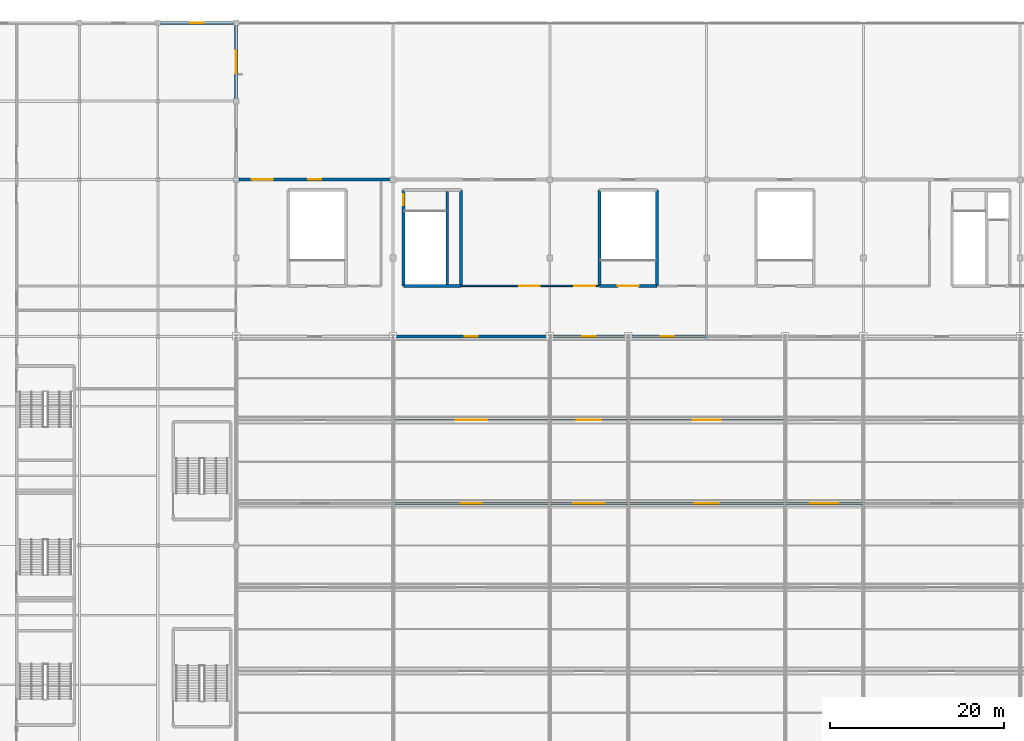
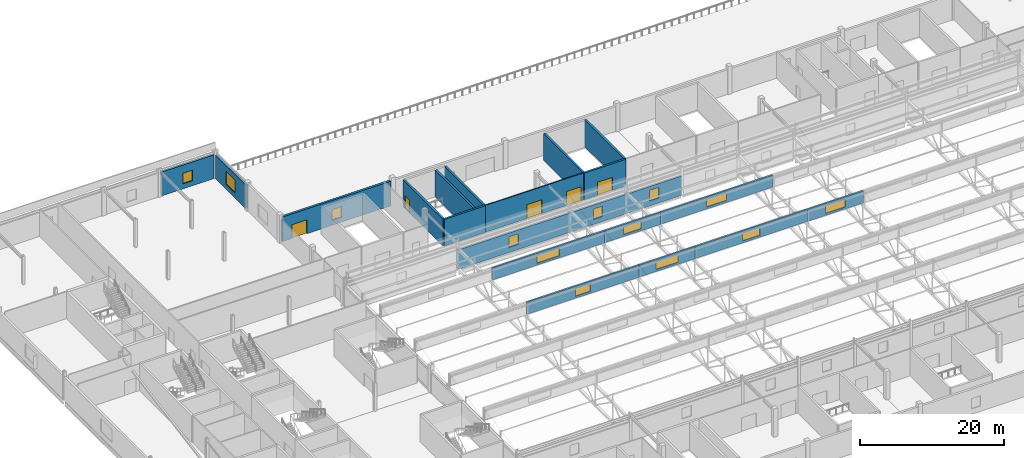
# One storey, part 101 of 136: 21 walls, 13 windows, 5 doors, 18 openings.
"""IFC4 building model written with IfcOpenShell, lengths in metres."""

from ifc_helpers import new_model, si_unit, direction, frame, frame_2d, origin, place, context, subcontext, project, spatial, rectangle, extrude, material, layer, layer_set, type_object, element, fill, save


model = new_model("IFC4")

# Units and contexts
model_context = context("Model", 3, precision=1e-05, world=origin(), true_north=direction((0.0, 1.0)))
body_context = subcontext(model_context, "Body", "Model", "MODEL_VIEW")
ifc_project = project(units=[si_unit("LENGTHUNIT", "METRE"), si_unit("AREAUNIT", "SQUARE_METRE"), si_unit("VOLUMEUNIT", "CUBIC_METRE"), si_unit("PLANEANGLEUNIT", "RADIAN"), si_unit("MASSUNIT", "GRAM", prefix="KILO")], contexts=[model_context])

# Site, building, storey
site_placement = place(None, origin())
site = spatial("IfcSite", under=ifc_project, at=site_placement, CompositionType="ELEMENT")
building_placement = place(site_placement, origin())
building = spatial("IfcBuilding", under=site, at=building_placement, Name="Kisiwana Market Hall", CompositionType="ELEMENT")
storey_placement = place(building_placement, frame((0.0, 0.0, 16.800048828125)))
storey = spatial("IfcBuildingStorey", under=building, at=storey_placement, Name="L03", CompositionType="ELEMENT", Elevation=16.800048828125)

# Wall
ifc_material_1 = material(Name="Concrete C40/50", Category="concrete")
ifc_layer_1 = layer(ifc_material_1, 0.320068359375, Name="Reinforced concrete shaft wall")
ifc_layer_set_1 = layer_set([ifc_layer_1], Name="WL-CORE-320")
wall_type_1 = type_object("IfcWallType", Name="WL-CORE-320", PredefinedType="SHEAR", material=ifc_layer_set_1)
wall_1_placement = place(storey_placement, frame((64.199951171875, 89.800048828125, 0.0), z_axis=(0.0, 0.0, 1.0), x_axis=(1.0, 0.0, 0.0)))
element("IfcWall", 1, at=wall_1_placement, inside=storey, type_object=wall_type_1, Name="Core N1 south wall W-1231", PredefinedType="SHEAR", context=body_context, shape_type="SweptSolid", body=[
    extrude(rectangle(XDim=6.60009765625, YDim=0.320068359375, at=frame_2d((3.300048828125, 0.0))), origin(), (0.0, 0.0, 1.0), 4.554931640625),
])

# Wall, opening, door
wall_2_placement = place(storey_placement, frame((64.199951171875, 89.800048828125, 0.0), z_axis=(0.0, 0.0, 1.0), x_axis=(0.0, 1.0, 0.0)))
wall_2 = element("IfcWall", 2, at=wall_2_placement, inside=storey, type_object=wall_type_1, Name="Core N1 west wall W-1233", PredefinedType="SHEAR", context=body_context, shape_type="SweptSolid", body=[
    extrude(rectangle(XDim=11.0, YDim=0.320068359375, at=frame_2d((5.5, 0.0))), origin(), (0.0, 0.0, 1.0), 4.554931640625),
])
opening_1_placement = place(wall_2_placement, frame((9.25, 0.0, 0.0)))
opening_1 = element("IfcOpeningElement", 3, at=opening_1_placement, cuts=wall_2, Name="Opening DR-L03-016", PredefinedType="OPENING", context=body_context, shape_type="SweptSolid", body=[
    extrude(rectangle(XDim=1.300048828125, YDim=2.199951171875, at=frame_2d((0.64990234375, 1.10009765625))), frame((0.0, 0.171875, 0.0), z_axis=(0.0, -1.0, 0.0), x_axis=(1.0, 0.0, 0.0)), (0.0, 0.0, 1.0), 0.343994140625),
])
ifc_material_2 = material(Name="Steel S275", Category="steel")
door_type_1 = type_object("IfcDoorType", Name="DR-STAIR-FD120-1300", OperationType="NOTDEFINED", PredefinedType="DOOR", material=ifc_material_2)
door_1_placement = place(opening_1_placement, origin())
door_1 = element("IfcDoor", 4, at=door_1_placement, inside=storey, type_object=door_type_1, Name="Podium Escape Stair N1 Fire Door (L03)", OperationType="SINGLE_SWING_RIGHT", OverallHeight=2.199951171875, OverallWidth=1.300048828125, PredefinedType="DOOR", context=body_context, shape_type="SweptSolid", body=[
    extrude(rectangle(XDim=1.300048828125, YDim=2.199951171875, at=frame_2d((0.64990234375, 1.10009765625))), frame((0.0, 0.02490234375, 0.0), z_axis=(0.0, -1.0, 0.0), x_axis=(1.0, 0.0, 0.0)), (0.0, 0.0, 1.0), 0.050048828125),
])
fill(opening_1, door_1)

# Walls
wall_3_placement = place(storey_placement, frame((70.800048828125, 89.800048828125, 0.0), z_axis=(0.0, 0.0, 1.0), x_axis=(0.0, 1.0, 0.0)))
element("IfcWall", 5, at=wall_3_placement, inside=storey, type_object=wall_type_1, Name="Core N1 east wall W-1234", PredefinedType="SHEAR", context=body_context, shape_type="SweptSolid", body=[
    extrude(rectangle(XDim=11.0, YDim=0.320068359375, at=frame_2d((5.5, 0.0))), origin(), (0.0, 0.0, 1.0), 4.554931640625),
])
wall_4_placement = place(storey_placement, frame((69.219970703125, 89.9599609375, 0.0), z_axis=(0.0, 0.0, 1.0), x_axis=(0.0, 1.0, 0.0)))
element("IfcWall", 6, at=wall_4_placement, inside=storey, type_object=wall_type_1, Name="Core N1 shaft divider W-1235", PredefinedType="SHEAR", context=body_context, shape_type="SweptSolid", body=[
    extrude(rectangle(XDim=10.679931640625, YDim=0.320068359375, at=frame_2d((5.33984375, 0.0))), origin(), (0.0, 0.0, 1.0), 4.554931640625),
])

# Wall, opening, door
wall_5_placement = place(storey_placement, frame((86.699951171875, 89.800048828125, 0.0), z_axis=(0.0, 0.0, 1.0), x_axis=(1.0, 0.0, 0.0)))
wall_5 = element("IfcWall", 7, at=wall_5_placement, inside=storey, type_object=wall_type_1, Name="Core N4 corridor shear wall W-1318", PredefinedType="SHEAR", context=body_context, shape_type="SweptSolid", body=[
    extrude(rectangle(XDim=6.60009765625, YDim=0.320068359375, at=frame_2d((3.300048828125, 0.0))), origin(), (0.0, 0.0, 1.0), 4.554931640625),
])
opening_2_placement = place(wall_5_placement, frame((2.10009765625, 0.0, 0.0)))
opening_2 = element("IfcOpeningElement", 8, at=opening_2_placement, cuts=wall_5, Name="Opening DR-L03-036", PredefinedType="OPENING", context=body_context, shape_type="SweptSolid", body=[
    extrude(rectangle(XDim=2.39990234375, YDim=2.25, at=frame_2d((1.199951171875, 1.125))), frame((0.0, 0.171875, 0.0), z_axis=(0.0, -1.0, 0.0), x_axis=(1.0, 0.0, 0.0)), (0.0, 0.0, 1.0), 0.343994140625),
])
ifc_material_3 = material(Name="Steel S275", Category="steel")
door_type_2 = type_object("IfcDoorType", Name="DR-STAIR-FD120-2400", OperationType="DOUBLE_DOOR_SINGLE_SWING", PredefinedType="DOOR", material=ifc_material_3)
door_2_placement = place(opening_2_placement, origin())
door_2 = element("IfcDoor", 9, at=door_2_placement, inside=storey, type_object=door_type_2, Name="Escape Stair N4 Fire Door (L03)", OperationType="DOUBLE_DOOR_SINGLE_SWING", OverallHeight=2.25, OverallWidth=2.39990234375, PredefinedType="DOOR", context=body_context, shape_type="SweptSolid", body=[
    extrude(rectangle(XDim=2.39990234375, YDim=2.25, at=frame_2d((1.199951171875, 1.125))), frame((0.0, 0.02490234375, 0.0), z_axis=(0.0, -1.0, 0.0), x_axis=(1.0, 0.0, 0.0)), (0.0, 0.0, 1.0), 0.050048828125),
])
fill(opening_2, door_2)

# Walls
for number, where, z_axis, x_axis, name in (
    (10, (86.699951171875, 89.800048828125, 0.0), (0.0, 0.0, 1.0), (0.0, 1.0, 0.0), "Core N4 west shear wall W-1320"),
    (11, (93.300048828125, 89.800048828125, 0.0), (0.0, 0.0, 1.0), (0.0, 1.0, 0.0), "Core N4 east shear wall W-1321"),
):
    element("IfcWall", number, at=place(storey_placement, frame(where, z_axis=z_axis, x_axis=x_axis)), inside=storey, type_object=wall_type_1, Name=name, PredefinedType="SHEAR", context=body_context, shape_type="SweptSolid", body=[
        extrude(rectangle(XDim=11.0, YDim=0.320068359375, at=frame_2d((5.5, 0.0))), origin(), (0.0, 0.0, 1.0), 4.554931640625),
    ])

# Wall, openings, doors
ifc_material_4 = material(Name="Masonry blockwork", Category="masonry")
ifc_layer_2 = layer(ifc_material_4, 0.169921875, Name="Protected corridor partition")
ifc_layer_set_2 = layer_set([ifc_layer_2], Name="WL-CORR-170")
wall_type_2 = type_object("IfcWallType", Name="WL-CORR-170", PredefinedType="PARTITIONING", material=ifc_layer_set_2)
wall_6_placement = place(storey_placement, frame((70.800048828125, 89.800048828125, 0.0), z_axis=(0.0, 0.0, 1.0), x_axis=(1.0, 0.0, 0.0)))
wall_6 = element("IfcWall", 12, at=wall_6_placement, inside=storey, type_object=wall_type_2, Name="Interior partition W-1505", PredefinedType="PARTITIONING", context=body_context, shape_type="SweptSolid", body=[
    extrude(rectangle(XDim=15.739990234375, YDim=0.169921875, at=frame_2d((7.8701171875, 0.0))), origin(), (0.0, 0.0, 1.0), 4.554931640625),
])
opening_3_placement = place(wall_6_placement, frame((13.0, 0.0, 0.0)))
opening_3 = element("IfcOpeningElement", 13, at=opening_3_placement, cuts=wall_6, Name="Opening DR-L03-097", PredefinedType="OPENING", context=body_context, shape_type="SweptSolid", body=[
    extrude(rectangle(XDim=2.39990234375, YDim=2.35009765625, at=frame_2d((1.199951171875, 1.175048828125))), frame((0.0, 0.096923828125, 0.0), z_axis=(0.0, -1.0, 0.0), x_axis=(1.0, 0.0, 0.0)), (0.0, 0.0, 1.0), 0.19384765625),
])
opening_4_placement = place(wall_6_placement, frame((6.669921875, 0.0, 0.0)))
opening_4 = element("IfcOpeningElement", 14, at=opening_4_placement, cuts=wall_6, Name="Opening DR-L03-098", PredefinedType="OPENING", context=body_context, shape_type="SweptSolid", body=[
    extrude(rectangle(XDim=2.39990234375, YDim=2.35009765625, at=frame_2d((1.199951171875, 1.175048828125))), frame((0.0, 0.096923828125, 0.0), z_axis=(0.0, -1.0, 0.0), x_axis=(1.0, 0.0, 0.0)), (0.0, 0.0, 1.0), 0.19384765625),
])
ifc_material_5 = material(Name="Steel S275", Category="steel")
door_type_3 = type_object("IfcDoorType", Name="DR-HALL-2400", OperationType="DOUBLE_DOOR_SINGLE_SWING", PredefinedType="DOOR", material=ifc_material_5)
door_3_placement = place(opening_3_placement, origin())
door_3 = element("IfcDoor", 15, at=door_3_placement, inside=storey, type_object=door_type_3, Name="L03 North Briefing Suite Second Door", OperationType="DOUBLE_DOOR_SINGLE_SWING", OverallHeight=2.35009765625, OverallWidth=2.39990234375, PredefinedType="DOOR", context=body_context, shape_type="SweptSolid", body=[
    extrude(rectangle(XDim=2.39990234375, YDim=2.35009765625, at=frame_2d((1.199951171875, 1.175048828125))), frame((0.0, 0.02490234375, 0.0), z_axis=(0.0, -1.0, 0.0), x_axis=(1.0, 0.0, 0.0)), (0.0, 0.0, 1.0), 0.050048828125),
])
fill(opening_3, door_3)
door_4_placement = place(opening_4_placement, origin())
door_4 = element("IfcDoor", 16, at=door_4_placement, inside=storey, type_object=door_type_3, Name="L03 North Briefing Suite Third Door", OperationType="DOUBLE_DOOR_SINGLE_SWING", OverallHeight=2.35009765625, OverallWidth=2.39990234375, PredefinedType="DOOR", context=body_context, shape_type="SweptSolid", body=[
    extrude(rectangle(XDim=2.39990234375, YDim=2.35009765625, at=frame_2d((1.199951171875, 1.175048828125))), frame((0.0, 0.02490234375, 0.0), z_axis=(0.0, -1.0, 0.0), x_axis=(1.0, 0.0, 0.0)), (0.0, 0.0, 1.0), 0.050048828125),
])
fill(opening_4, door_4)

# Wall, opening, window
ifc_material_6 = material(Name="Aluminium alloy 6063-T6", Category="aluminium")
ifc_layer_3 = layer(ifc_material_6, 0.06005859375, Name="Insulated metal-clad clerestory wall")
ifc_material_7 = material(Name="Mineral wool insulation")
ifc_layer_4 = layer(ifc_material_7, 0.10009765625, Name="Mineral wool core")
ifc_material_8 = material(Name="Masonry blockwork", Category="masonry")
ifc_layer_5 = layer(ifc_material_8, 0.10009765625, Name="Masonry backing")
ifc_layer_set_3 = layer_set([ifc_layer_3, ifc_layer_4, ifc_layer_5], Name="WL-EXT-CLER-260")
wall_type_3 = type_object("IfcWallType", Name="WL-EXT-CLER-260", PredefinedType="STANDARD", material=ifc_layer_set_3)
wall_7_placement = place(storey_placement, frame((63.0, 64.800048828125, 4.0048828125), z_axis=(0.0, 0.0, 1.0), x_axis=(1.0, 0.0, 0.0)))
wall_7 = element("IfcWall", 17, at=wall_7_placement, inside=storey, type_object=wall_type_3, Name="Sawtooth clerestory wall W-1425", PredefinedType="STANDARD", context=body_context, shape_type="SweptSolid", body=[
    extrude(rectangle(XDim=18.0, YDim=0.260009765625, at=frame_2d((9.0, 0.0))), origin(), (0.0, 0.0, 1.0), 2.049072265625),
])
opening_5_placement = place(wall_7_placement, frame((7.800048828125, 0.0, 0.320068359375)))
opening_5 = element("IfcOpeningElement", 18, at=opening_5_placement, cuts=wall_7, Name="Opening W-42", PredefinedType="OPENING", context=body_context, shape_type="SweptSolid", body=[
    extrude(rectangle(XDim=2.39990234375, YDim=1.35009765625, at=frame_2d((1.199951171875, 0.675048828125))), frame((0.0, 0.14208984375, 0.0), z_axis=(0.0, -1.0, 0.0), x_axis=(1.0, 0.0, 0.0)), (0.0, 0.0, 1.0), 0.283935546875),
])
ifc_material_9 = material(Name="Double-glazed solar-control low-E IGU", Category="glass")
window_type_1 = type_object("IfcWindowType", Name="WN-CLER-2400x1400", PartitioningType="SINGLE_PANEL", PredefinedType="SKYLIGHT", material=ifc_material_9)
window_1_placement = place(opening_5_placement, origin())
window_1 = element("IfcWindow", 19, at=window_1_placement, inside=storey, type_object=window_type_1, Name="North-light sawtooth clerestory WN-059", OverallHeight=1.35009765625, OverallWidth=2.39990234375, PartitioningType="SINGLE_PANEL", PredefinedType="SKYLIGHT", context=body_context, shape_type="SweptSolid", body=[
    extrude(rectangle(XDim=2.39990234375, YDim=1.35009765625, at=frame_2d((1.199951171875, 0.675048828125))), frame((0.0, 0.030029296875, 0.0), z_axis=(0.0, -1.0, 0.0), x_axis=(1.0, 0.0, 0.0)), (0.0, 0.0, 1.0), 0.06005859375),
])
fill(opening_5, window_1)

wall_8_placement = place(storey_placement, frame((81.0, 64.800048828125, 4.0048828125), z_axis=(0.0, 0.0, 1.0), x_axis=(1.0, 0.0, 0.0)))
wall_8 = element("IfcWall", 20, at=wall_8_placement, inside=storey, type_object=wall_type_3, Name="Sawtooth clerestory wall W-1426", PredefinedType="STANDARD", context=body_context, shape_type="SweptSolid", body=[
    extrude(rectangle(XDim=9.0, YDim=0.260009765625, at=frame_2d((4.5, 0.0))), origin(), (0.0, 0.0, 1.0), 2.049072265625),
])
opening_6_placement = place(wall_8_placement, frame((2.699951171875, 0.0, 0.320068359375)))
opening_6 = element("IfcOpeningElement", 21, at=opening_6_placement, cuts=wall_8, Name="Opening WN-09", PredefinedType="OPENING", context=body_context, shape_type="SweptSolid", body=[
    extrude(rectangle(XDim=3.60009765625, YDim=1.35009765625, at=frame_2d((1.800048828125, 0.675048828125))), frame((0.0, 0.14208984375, 0.0), z_axis=(0.0, -1.0, 0.0), x_axis=(1.0, 0.0, 0.0)), (0.0, 0.0, 1.0), 0.283935546875),
])
ifc_material_10 = material(Name="Double-glazed solar-control low-E IGU", Category="glass")
window_type_2 = type_object("IfcWindowType", Name="WN-CLER-3600x1500", PartitioningType="SINGLE_PANEL", PredefinedType="SKYLIGHT", material=ifc_material_10)
window_2_placement = place(opening_6_placement, origin())
window_2 = element("IfcWindow", 22, at=window_2_placement, inside=storey, type_object=window_type_2, Name="North-light sawtooth clerestory WN-066", OverallHeight=1.35009765625, OverallWidth=3.60009765625, PartitioningType="SINGLE_PANEL", PredefinedType="SKYLIGHT", context=body_context, shape_type="SweptSolid", body=[
    extrude(rectangle(XDim=3.60009765625, YDim=1.35009765625, at=frame_2d((1.800048828125, 0.675048828125))), frame((0.0, 0.030029296875, 0.0), z_axis=(0.0, -1.0, 0.0), x_axis=(1.0, 0.0, 0.0)), (0.0, 0.0, 1.0), 0.06005859375),
])
fill(opening_6, window_2)

wall_9_placement = place(storey_placement, frame((90.0, 64.800048828125, 4.0048828125), z_axis=(0.0, 0.0, 1.0), x_axis=(1.0, 0.0, 0.0)))
wall_9 = element("IfcWall", 23, at=wall_9_placement, inside=storey, type_object=wall_type_3, Name="Sawtooth clerestory wall W-1427", PredefinedType="STANDARD", context=body_context, shape_type="SweptSolid", body=[
    extrude(rectangle(XDim=18.0, YDim=0.260009765625, at=frame_2d((9.0, 0.0))), origin(), (0.0, 0.0, 1.0), 2.049072265625),
])
opening_7_placement = place(wall_9_placement, frame((7.60009765625, 0.0, 0.320068359375)))
opening_7 = element("IfcOpeningElement", 24, at=opening_7_placement, cuts=wall_9, Name="Opening WN-26", PredefinedType="OPENING", context=body_context, shape_type="SweptSolid", body=[
    extrude(rectangle(XDim=2.800048828125, YDim=1.35009765625, at=frame_2d((1.39990234375, 0.675048828125))), frame((0.0, 0.14208984375, 0.0), z_axis=(0.0, -1.0, 0.0), x_axis=(1.0, 0.0, 0.0)), (0.0, 0.0, 1.0), 0.283935546875),
])
ifc_material_11 = material(Name="Double-glazed solar-control low-E IGU", Category="glass")
window_type_3 = type_object("IfcWindowType", Name="WN-CLER-2800x1500", PartitioningType="SINGLE_PANEL", PredefinedType="SKYLIGHT", material=ifc_material_11)
window_3_placement = place(opening_7_placement, origin())
window_3 = element("IfcWindow", 25, at=window_3_placement, inside=storey, type_object=window_type_3, Name="North-light sawtooth clerestory WN-140", OverallHeight=1.35009765625, OverallWidth=2.800048828125, PartitioningType="SINGLE_PANEL", PredefinedType="SKYLIGHT", context=body_context, shape_type="SweptSolid", body=[
    extrude(rectangle(XDim=2.800048828125, YDim=1.35009765625, at=frame_2d((1.39990234375, 0.675048828125))), frame((0.0, 0.030029296875, 0.0), z_axis=(0.0, -1.0, 0.0), x_axis=(1.0, 0.0, 0.0)), (0.0, 0.0, 1.0), 0.06005859375),
])
fill(opening_7, window_3)

wall_10_placement = place(storey_placement, frame((108.0, 64.800048828125, 4.0048828125), z_axis=(0.0, 0.0, 1.0), x_axis=(1.0, 0.0, 0.0)))
wall_10 = element("IfcWall", 26, at=wall_10_placement, inside=storey, type_object=wall_type_3, Name="Sawtooth clerestory wall W-1428", PredefinedType="STANDARD", context=body_context, shape_type="SweptSolid", body=[
    extrude(rectangle(XDim=9.0, YDim=0.260009765625, at=frame_2d((4.5, 0.0))), origin(), (0.0, 0.0, 1.0), 2.049072265625),
])
opening_8_placement = place(wall_10_placement, frame((2.89990234375, 0.0, 0.320068359375)))
opening_8 = element("IfcOpeningElement", 27, at=opening_8_placement, cuts=wall_10, Name="Opening W-41", PredefinedType="OPENING", context=body_context, shape_type="SweptSolid", body=[
    extrude(rectangle(XDim=3.199951171875, YDim=1.35009765625, at=frame_2d((1.60009765625, 0.675048828125))), frame((0.0, 0.14208984375, 0.0), z_axis=(0.0, -1.0, 0.0), x_axis=(1.0, 0.0, 0.0)), (0.0, 0.0, 1.0), 0.283935546875),
])
ifc_material_12 = material(Name="Double-glazed solar-control low-E IGU", Category="glass")
window_type_4 = type_object("IfcWindowType", Name="WN-CLER-3200x1400", PartitioningType="SINGLE_PANEL", PredefinedType="SKYLIGHT", material=ifc_material_12)
window_4_placement = place(opening_8_placement, origin())
window_4 = element("IfcWindow", 28, at=window_4_placement, inside=storey, type_object=window_type_4, Name="North-light sawtooth clerestory WN-054", OverallHeight=1.35009765625, OverallWidth=3.199951171875, PartitioningType="SINGLE_PANEL", PredefinedType="SKYLIGHT", context=body_context, shape_type="SweptSolid", body=[
    extrude(rectangle(XDim=3.199951171875, YDim=1.35009765625, at=frame_2d((1.60009765625, 0.675048828125))), frame((0.0, 0.030029296875, 0.0), z_axis=(0.0, -1.0, 0.0), x_axis=(1.0, 0.0, 0.0)), (0.0, 0.0, 1.0), 0.06005859375),
])
fill(opening_8, window_4)

wall_11_placement = place(storey_placement, frame((63.0, 74.39990234375, 4.0048828125), z_axis=(0.0, 0.0, 1.0), x_axis=(1.0, 0.0, 0.0)))
wall_11 = element("IfcWall", 29, at=wall_11_placement, inside=storey, type_object=wall_type_3, Name="Sawtooth clerestory wall W-1432", PredefinedType="STANDARD", context=body_context, shape_type="SweptSolid", body=[
    extrude(rectangle(XDim=18.0, YDim=0.260009765625, at=frame_2d((9.0, 0.0))), origin(), (0.0, 0.0, 1.0), 2.049072265625),
])
opening_9_placement = place(wall_11_placement, frame((7.199951171875, 0.0, 0.320068359375)))
opening_9 = element("IfcOpeningElement", 30, at=opening_9_placement, cuts=wall_11, Name="Opening WN-09", PredefinedType="OPENING", context=body_context, shape_type="SweptSolid", body=[
    extrude(rectangle(XDim=3.60009765625, YDim=1.35009765625, at=frame_2d((1.800048828125, 0.675048828125))), frame((0.0, 0.14208984375, 0.0), z_axis=(0.0, -1.0, 0.0), x_axis=(1.0, 0.0, 0.0)), (0.0, 0.0, 1.0), 0.283935546875),
])
window_5_placement = place(opening_9_placement, origin())
window_5 = element("IfcWindow", 31, at=window_5_placement, inside=storey, type_object=window_type_2, Name="North-light sawtooth clerestory WN-068", OverallHeight=1.35009765625, OverallWidth=3.60009765625, PartitioningType="SINGLE_PANEL", PredefinedType="SKYLIGHT", context=body_context, shape_type="SweptSolid", body=[
    extrude(rectangle(XDim=3.60009765625, YDim=1.35009765625, at=frame_2d((1.800048828125, 0.675048828125))), frame((0.0, 0.030029296875, 0.0), z_axis=(0.0, -1.0, 0.0), x_axis=(1.0, 0.0, 0.0)), (0.0, 0.0, 1.0), 0.06005859375),
])
fill(opening_9, window_5)

wall_12_placement = place(storey_placement, frame((81.0, 74.39990234375, 4.0048828125), z_axis=(0.0, 0.0, 1.0), x_axis=(1.0, 0.0, 0.0)))
wall_12 = element("IfcWall", 32, at=wall_12_placement, inside=storey, type_object=wall_type_3, Name="Sawtooth clerestory wall W-1433", PredefinedType="STANDARD", context=body_context, shape_type="SweptSolid", body=[
    extrude(rectangle(XDim=9.0, YDim=0.260009765625, at=frame_2d((4.5, 0.0))), origin(), (0.0, 0.0, 1.0), 2.049072265625),
])
opening_10_placement = place(wall_12_placement, frame((3.10009765625, 0.0, 0.320068359375)))
opening_10 = element("IfcOpeningElement", 33, at=opening_10_placement, cuts=wall_12, Name="Opening WN-26", PredefinedType="OPENING", context=body_context, shape_type="SweptSolid", body=[
    extrude(rectangle(XDim=2.800048828125, YDim=1.35009765625, at=frame_2d((1.39990234375, 0.675048828125))), frame((0.0, 0.14208984375, 0.0), z_axis=(0.0, -1.0, 0.0), x_axis=(1.0, 0.0, 0.0)), (0.0, 0.0, 1.0), 0.283935546875),
])
window_6_placement = place(opening_10_placement, origin())
window_6 = element("IfcWindow", 34, at=window_6_placement, inside=storey, type_object=window_type_3, Name="North-light sawtooth clerestory WN-141", OverallHeight=1.35009765625, OverallWidth=2.800048828125, PartitioningType="SINGLE_PANEL", PredefinedType="SKYLIGHT", context=body_context, shape_type="SweptSolid", body=[
    extrude(rectangle(XDim=2.800048828125, YDim=1.35009765625, at=frame_2d((1.39990234375, 0.675048828125))), frame((0.0, 0.030029296875, 0.0), z_axis=(0.0, -1.0, 0.0), x_axis=(1.0, 0.0, 0.0)), (0.0, 0.0, 1.0), 0.06005859375),
])
fill(opening_10, window_6)

wall_13_placement = place(storey_placement, frame((90.0, 74.39990234375, 4.0048828125), z_axis=(0.0, 0.0, 1.0), x_axis=(1.0, 0.0, 0.0)))
wall_13 = element("IfcWall", 35, at=wall_13_placement, inside=storey, type_object=wall_type_3, Name="Sawtooth clerestory wall W-1434", PredefinedType="STANDARD", context=body_context, shape_type="SweptSolid", body=[
    extrude(rectangle(XDim=18.0, YDim=0.260009765625, at=frame_2d((9.0, 0.0))), origin(), (0.0, 0.0, 1.0), 2.049072265625),
])
opening_11_placement = place(wall_13_placement, frame((7.39990234375, 0.0, 0.320068359375)))
opening_11 = element("IfcOpeningElement", 36, at=opening_11_placement, cuts=wall_13, Name="Opening W-41", PredefinedType="OPENING", context=body_context, shape_type="SweptSolid", body=[
    extrude(rectangle(XDim=3.199951171875, YDim=1.35009765625, at=frame_2d((1.60009765625, 0.675048828125))), frame((0.0, 0.14208984375, 0.0), z_axis=(0.0, -1.0, 0.0), x_axis=(1.0, 0.0, 0.0)), (0.0, 0.0, 1.0), 0.283935546875),
])
window_7_placement = place(opening_11_placement, origin())
window_7 = element("IfcWindow", 37, at=window_7_placement, inside=storey, type_object=window_type_4, Name="North-light sawtooth clerestory WN-055", OverallHeight=1.35009765625, OverallWidth=3.199951171875, PartitioningType="SINGLE_PANEL", PredefinedType="SKYLIGHT", context=body_context, shape_type="SweptSolid", body=[
    extrude(rectangle(XDim=3.199951171875, YDim=1.35009765625, at=frame_2d((1.60009765625, 0.675048828125))), frame((0.0, 0.030029296875, 0.0), z_axis=(0.0, -1.0, 0.0), x_axis=(1.0, 0.0, 0.0)), (0.0, 0.0, 1.0), 0.06005859375),
])
fill(opening_11, window_7)

ifc_material_13 = material(Name="Concrete C40/50 precast", Category="concrete")
ifc_layer_6 = layer(ifc_material_13, 0.14990234375, Name="Precast architectural concrete spandrel")
ifc_material_14 = material(Name="Mineral wool insulation")
ifc_layer_7 = layer(ifc_material_14, 0.090087890625, Name="Rockwool thermal insulation")
ifc_material_15 = material(Name="Masonry blockwork", Category="masonry")
ifc_layer_8 = layer(ifc_material_15, 0.10009765625, Name="Inner masonry block leaf")
ifc_layer_set_4 = layer_set([ifc_layer_6, ifc_layer_7, ifc_layer_8], Name="WL-EXT-PREC-340")
wall_type_4 = type_object("IfcWallType", Name="WL-EXT-PREC-340", PredefinedType="STANDARD", material=ifc_layer_set_4)
wall_14_placement = place(storey_placement, frame((63.010009765625, 84.0, 0.0), z_axis=(0.0, 0.0, 1.0), x_axis=(1.0, 0.0, 0.0)))
wall_14 = element("IfcWall", 38, at=wall_14_placement, inside=storey, type_object=wall_type_4, Name="Exterior wall W-1361", PredefinedType="STANDARD", context=body_context, shape_type="SweptSolid", body=[
    extrude(rectangle(XDim=17.97998046875, YDim=0.340087890625, at=frame_2d((8.989990234375, 0.0))), origin(), (0.0, 0.0, 1.0), 3.27685546875),
])
opening_12_placement = place(wall_14_placement, frame((8.239990234375, 0.0, 0.85009765625)))
opening_12 = element("IfcOpeningElement", 39, at=opening_12_placement, cuts=wall_14, Name="Opening WN-14", PredefinedType="OPENING", context=body_context, shape_type="SweptSolid", body=[
    extrude(rectangle(XDim=1.5, YDim=1.800048828125, at=frame_2d((0.75, 0.89990234375))), frame((0.0, 0.18212890625, 0.0), z_axis=(0.0, -1.0, 0.0), x_axis=(1.0, 0.0, 0.0)), (0.0, 0.0, 1.0), 0.364013671875),
])
ifc_material_16 = material(Name="Double-glazed solar-control low-E IGU", Category="glass")
window_type_5 = type_object("IfcWindowType", Name="WN-POD-1500x1800", PartitioningType="SINGLE_PANEL", PredefinedType="WINDOW", material=ifc_material_16)
window_8_placement = place(opening_12_placement, origin())
window_8 = element("IfcWindow", 40, at=window_8_placement, inside=storey, type_object=window_type_5, Name="Exterior window WN-092", OverallHeight=1.800048828125, OverallWidth=1.5, PartitioningType="SINGLE_PANEL", PredefinedType="WINDOW", context=body_context, shape_type="SweptSolid", body=[
    extrude(rectangle(XDim=1.5, YDim=1.800048828125, at=frame_2d((0.75, 0.89990234375))), frame((0.0, 0.030029296875, 0.0), z_axis=(0.0, -1.0, 0.0), x_axis=(1.0, 0.0, 0.0)), (0.0, 0.0, 1.0), 0.06005859375),
])
fill(opening_12, window_8)

wall_15_placement = place(storey_placement, frame((81.010009765625, 84.0, 0.0), z_axis=(0.0, 0.0, 1.0), x_axis=(1.0, 0.0, 0.0)))
wall_15 = element("IfcWall", 41, at=wall_15_placement, inside=storey, type_object=wall_type_4, Name="Exterior wall W-1362", PredefinedType="STANDARD", context=body_context, shape_type="SweptSolid", body=[
    extrude(rectangle(XDim=8.97998046875, YDim=0.340087890625, at=frame_2d((4.489990234375, 0.0))), origin(), (0.0, 0.0, 1.0), 3.27685546875),
])
opening_13_placement = place(wall_15_placement, frame((3.739990234375, 0.0, 0.85009765625)))
opening_13 = element("IfcOpeningElement", 42, at=opening_13_placement, cuts=wall_15, Name="Opening WN-14", PredefinedType="OPENING", context=body_context, shape_type="SweptSolid", body=[
    extrude(rectangle(XDim=1.5, YDim=1.800048828125, at=frame_2d((0.75, 0.89990234375))), frame((0.0, 0.18212890625, 0.0), z_axis=(0.0, -1.0, 0.0), x_axis=(1.0, 0.0, 0.0)), (0.0, 0.0, 1.0), 0.364013671875),
])
window_9_placement = place(opening_13_placement, origin())
window_9 = element("IfcWindow", 43, at=window_9_placement, inside=storey, type_object=window_type_5, Name="Exterior window WN-093", OverallHeight=1.800048828125, OverallWidth=1.5, PartitioningType="SINGLE_PANEL", PredefinedType="WINDOW", context=body_context, shape_type="SweptSolid", body=[
    extrude(rectangle(XDim=1.5, YDim=1.800048828125, at=frame_2d((0.75, 0.89990234375))), frame((0.0, 0.030029296875, 0.0), z_axis=(0.0, -1.0, 0.0), x_axis=(1.0, 0.0, 0.0)), (0.0, 0.0, 1.0), 0.06005859375),
])
fill(opening_13, window_9)

wall_16_placement = place(storey_placement, frame((90.010009765625, 84.0, 0.0), z_axis=(0.0, 0.0, 1.0), x_axis=(1.0, 0.0, 0.0)))
wall_16 = element("IfcWall", 44, at=wall_16_placement, inside=storey, type_object=wall_type_4, Name="Exterior wall W-1363", PredefinedType="STANDARD", context=body_context, shape_type="SweptSolid", body=[
    extrude(rectangle(XDim=8.97998046875, YDim=0.340087890625, at=frame_2d((4.489990234375, 0.0))), origin(), (0.0, 0.0, 1.0), 3.27685546875),
])
opening_14_placement = place(wall_16_placement, frame((3.739990234375, 0.0, 0.85009765625)))
opening_14 = element("IfcOpeningElement", 45, at=opening_14_placement, cuts=wall_16, Name="Opening WN-14", PredefinedType="OPENING", context=body_context, shape_type="SweptSolid", body=[
    extrude(rectangle(XDim=1.5, YDim=1.800048828125, at=frame_2d((0.75, 0.89990234375))), frame((0.0, 0.18212890625, 0.0), z_axis=(0.0, -1.0, 0.0), x_axis=(1.0, 0.0, 0.0)), (0.0, 0.0, 1.0), 0.364013671875),
])
window_10_placement = place(opening_14_placement, origin())
window_10 = element("IfcWindow", 46, at=window_10_placement, inside=storey, type_object=window_type_5, Name="Exterior window WN-094", OverallHeight=1.800048828125, OverallWidth=1.5, PartitioningType="SINGLE_PANEL", PredefinedType="WINDOW", context=body_context, shape_type="SweptSolid", body=[
    extrude(rectangle(XDim=1.5, YDim=1.800048828125, at=frame_2d((0.75, 0.89990234375))), frame((0.0, 0.030029296875, 0.0), z_axis=(0.0, -1.0, 0.0), x_axis=(1.0, 0.0, 0.0)), (0.0, 0.0, 1.0), 0.06005859375),
])
fill(opening_14, window_10)

# Wall, openings, door, window
wall_17_placement = place(storey_placement, frame((45.31689453125, 102.0, 0.0), z_axis=(0.0, 0.0, 1.0), x_axis=(1.0, 0.0, 0.0)))
wall_17 = element("IfcWall", 47, at=wall_17_placement, inside=storey, type_object=wall_type_4, Name="Exterior wall W-1368", PredefinedType="STANDARD", context=body_context, shape_type="SweptSolid", body=[
    extrude(rectangle(XDim=17.3662109375, YDim=0.340087890625, at=frame_2d((8.68310546875, 0.0))), origin(), (0.0, 0.0, 1.0), 4.195068359375),
])
opening_15_placement = place(wall_17_placement, frame((7.93310546875, 0.0, 0.85009765625)))
opening_15 = element("IfcOpeningElement", 48, at=opening_15_placement, cuts=wall_17, Name="Opening WN-14", PredefinedType="OPENING", context=body_context, shape_type="SweptSolid", body=[
    extrude(rectangle(XDim=1.5, YDim=1.800048828125, at=frame_2d((0.75, 0.89990234375))), frame((0.0, 0.18212890625, 0.0), z_axis=(0.0, -1.0, 0.0), x_axis=(1.0, 0.0, 0.0)), (0.0, 0.0, 1.0), 0.364013671875),
])
opening_16_placement = place(wall_17_placement, frame((1.48291015625, 0.0, 0.0)))
opening_16 = element("IfcOpeningElement", 49, at=opening_16_placement, cuts=wall_17, Name="Opening DR-L03-981", PredefinedType="OPENING", context=body_context, shape_type="SweptSolid", body=[
    extrude(rectangle(XDim=2.39990234375, YDim=2.35009765625, at=frame_2d((1.199951171875, 1.175048828125))), frame((0.0, 0.18212890625, 0.0), z_axis=(0.0, -1.0, 0.0), x_axis=(1.0, 0.0, 0.0)), (0.0, 0.0, 1.0), 0.364013671875),
])
ifc_material_17 = material(Name="Aluminium alloy 6063-T6", Category="aluminium")
door_type_4 = type_object("IfcDoorType", Name="DR-EXT-TERR-2400", OperationType="DOUBLE_DOOR_SINGLE_SWING", PredefinedType="DOOR", material=ifc_material_17)
door_5_placement = place(opening_16_placement, frame((2.39990234375, 0.0, 0.0), z_axis=(0.0, 0.0, 1.0), x_axis=(-1.0, 0.0, 0.0)))
door_5 = element("IfcDoor", 50, at=door_5_placement, inside=storey, type_object=door_type_4, Name="Exterior terrace access door DR-L03-981", OperationType="DOUBLE_DOOR_SINGLE_SWING", OverallHeight=2.35009765625, OverallWidth=2.39990234375, PredefinedType="DOOR", context=body_context, shape_type="SweptSolid", body=[
    extrude(rectangle(XDim=2.39990234375, YDim=2.35009765625, at=frame_2d((1.199951171875, 1.175048828125))), frame((0.0, 0.02490234375, 0.0), z_axis=(0.0, -1.0, 0.0), x_axis=(1.0, 0.0, 0.0)), (0.0, 0.0, 1.0), 0.050048828125),
])
fill(opening_16, door_5)
window_11_placement = place(opening_15_placement, origin())
window_11 = element("IfcWindow", 51, at=window_11_placement, inside=storey, type_object=window_type_5, Name="Exterior window WN-099", OverallHeight=1.800048828125, OverallWidth=1.5, PartitioningType="SINGLE_PANEL", PredefinedType="WINDOW", context=body_context, shape_type="SweptSolid", body=[
    extrude(rectangle(XDim=1.5, YDim=1.800048828125, at=frame_2d((0.75, 0.89990234375))), frame((0.0, 0.030029296875, 0.0), z_axis=(0.0, -1.0, 0.0), x_axis=(1.0, 0.0, 0.0)), (0.0, 0.0, 1.0), 0.06005859375),
])
fill(opening_15, window_11)

# Wall, opening, window
wall_18_placement = place(storey_placement, frame((36.31689453125, 120.0, 0.0), z_axis=(0.0, 0.0, 1.0), x_axis=(1.0, 0.0, 0.0)))
wall_18 = element("IfcWall", 52, at=wall_18_placement, inside=storey, type_object=wall_type_4, Name="Exterior wall W-1377", PredefinedType="STANDARD", context=body_context, shape_type="SweptSolid", body=[
    extrude(rectangle(XDim=8.3662109375, YDim=0.340087890625, at=frame_2d((4.18310546875, 0.0))), origin(), (0.0, 0.0, 1.0), 4.0478515625),
])
opening_17_placement = place(wall_18_placement, frame((3.43310546875, 0.0, 0.85009765625)))
opening_17 = element("IfcOpeningElement", 53, at=opening_17_placement, cuts=wall_18, Name="Opening WN-14", PredefinedType="OPENING", context=body_context, shape_type="SweptSolid", body=[
    extrude(rectangle(XDim=1.5, YDim=1.800048828125, at=frame_2d((0.75, 0.89990234375))), frame((0.0, 0.18212890625, 0.0), z_axis=(0.0, -1.0, 0.0), x_axis=(1.0, 0.0, 0.0)), (0.0, 0.0, 1.0), 0.364013671875),
])
window_12_placement = place(opening_17_placement, origin())
window_12 = element("IfcWindow", 54, at=window_12_placement, inside=storey, type_object=window_type_5, Name="Exterior window WN-107", OverallHeight=1.800048828125, OverallWidth=1.5, PartitioningType="SINGLE_PANEL", PredefinedType="WINDOW", context=body_context, shape_type="SweptSolid", body=[
    extrude(rectangle(XDim=1.5, YDim=1.800048828125, at=frame_2d((0.75, 0.89990234375))), frame((0.0, 0.030029296875, 0.0), z_axis=(0.0, -1.0, 0.0), x_axis=(1.0, 0.0, 0.0)), (0.0, 0.0, 1.0), 0.06005859375),
])
fill(opening_17, window_12)

wall_19_placement = place(storey_placement, frame((45.0, 111.31689453125, 0.0), z_axis=(0.0, 0.0, 1.0), x_axis=(0.0, 1.0, 0.0)))
wall_19 = element("IfcWall", 55, at=wall_19_placement, inside=storey, type_object=wall_type_4, Name="Exterior wall W-1395", PredefinedType="STANDARD", context=body_context, shape_type="SweptSolid", body=[
    extrude(rectangle(XDim=8.3662109375, YDim=0.340087890625, at=frame_2d((4.18310546875, 0.0))), origin(), (0.0, 0.0, 1.0), 4.0478515625),
])
opening_18_placement = place(wall_19_placement, frame((2.883056640625, 0.0, 0.85009765625)))
opening_18 = element("IfcOpeningElement", 56, at=opening_18_placement, cuts=wall_19, Name="Opening WN-16", PredefinedType="OPENING", context=body_context, shape_type="SweptSolid", body=[
    extrude(rectangle(XDim=2.60009765625, YDim=2.199951171875, at=frame_2d((1.300048828125, 1.10009765625))), frame((0.0, 0.18212890625, 0.0), z_axis=(0.0, -1.0, 0.0), x_axis=(1.0, 0.0, 0.0)), (0.0, 0.0, 1.0), 0.364013671875),
])
ifc_material_18 = material(Name="Double-glazed solar-control low-E IGU", Category="glass")
window_type_6 = type_object("IfcWindowType", Name="WN-EXH-2600x2200", PartitioningType="SINGLE_PANEL", PredefinedType="WINDOW", material=ifc_material_18)
window_13_placement = place(opening_18_placement, origin())
window_13 = element("IfcWindow", 57, at=window_13_placement, inside=storey, type_object=window_type_6, Name="Exterior window WN-115", OverallHeight=2.199951171875, OverallWidth=2.60009765625, PartitioningType="SINGLE_PANEL", PredefinedType="WINDOW", context=body_context, shape_type="SweptSolid", body=[
    extrude(rectangle(XDim=2.60009765625, YDim=2.199951171875, at=frame_2d((1.300048828125, 1.10009765625))), frame((0.0, 0.030029296875, 0.0), z_axis=(0.0, -1.0, 0.0), x_axis=(1.0, 0.0, 0.0)), (0.0, 0.0, 1.0), 0.06005859375),
])
fill(opening_18, window_13)

save(model, "model.ifc")
